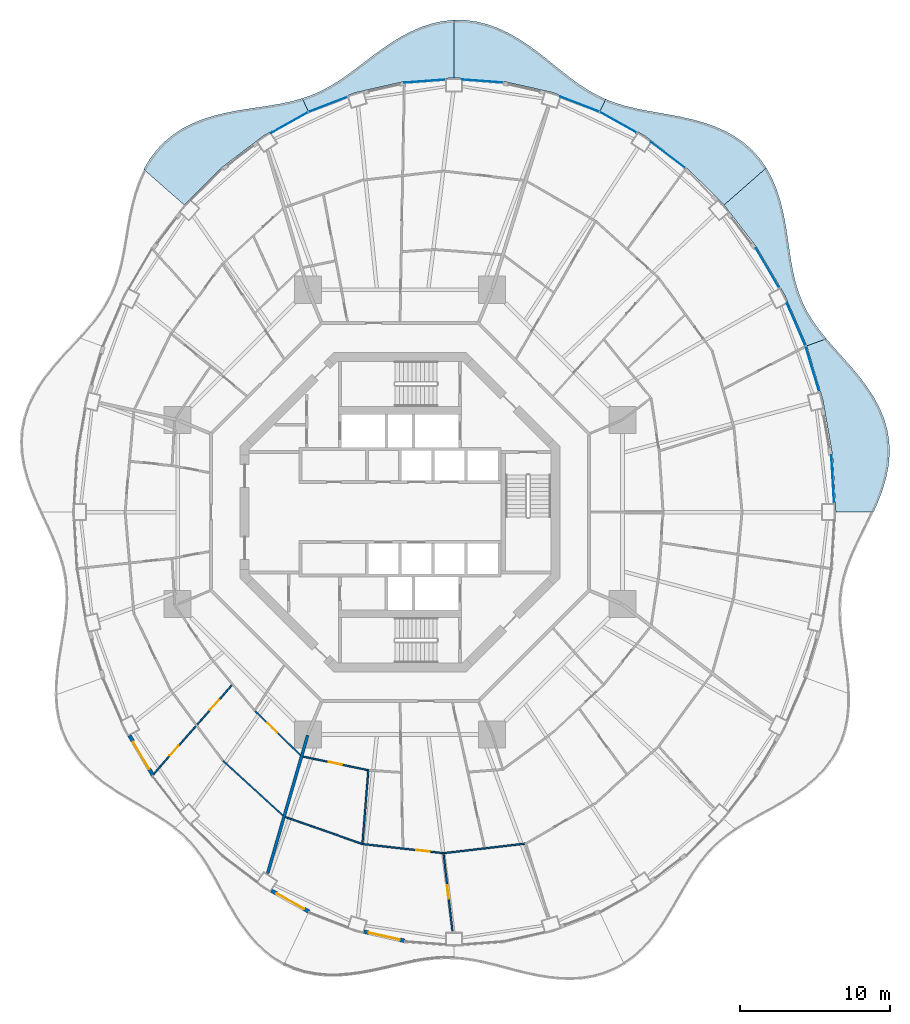
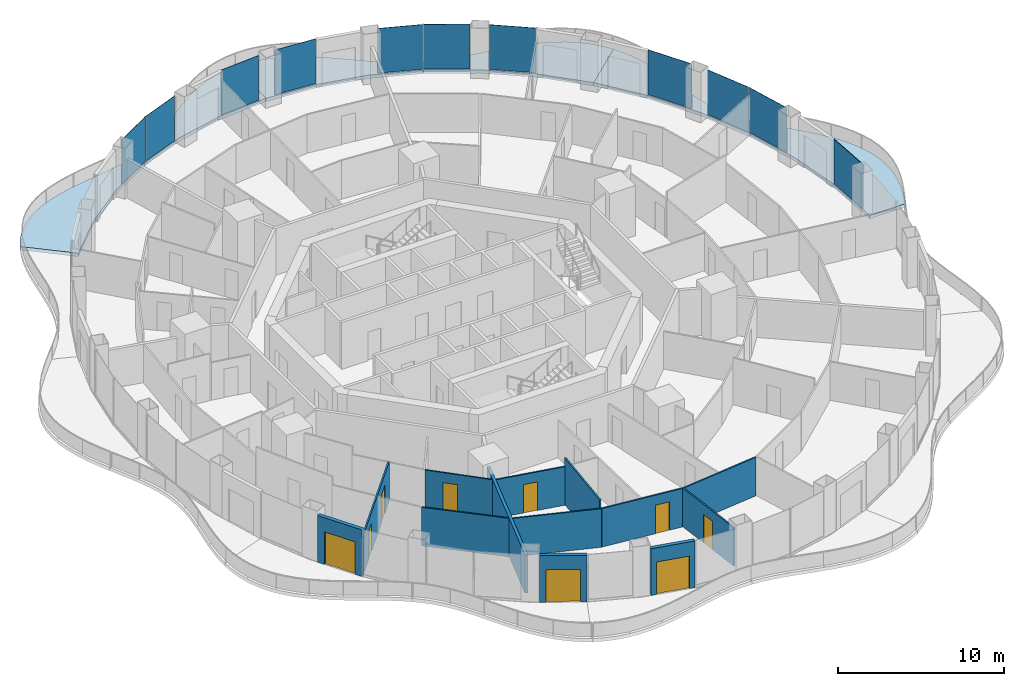
# One storey, part 10 of 19: 13 walls, 11 plates, 9 doors, 6 slabs, 9 openings, 11 elements without a shape of their own.
"""IFC4 building model written with IfcOpenShell, lengths in metres."""

from ifc_helpers import new_model, si_unit, direction, frame, frame_2d, origin, origin_2d, place, context, subcontext, project, spatial, polyline, rectangle, outline, extrude, material, layer, layer_set, type_object, element, fill, aggregate, save


model = new_model("IFC4")

# Units and contexts
model_context = context("Model", 3, precision=1e-05, world=origin(), true_north=direction((0.0, 1.0)))
body_context = subcontext(model_context, "Body", "Model", "MODEL_VIEW")
ifc_project = project(units=[si_unit("LENGTHUNIT", "METRE"), si_unit("AREAUNIT", "SQUARE_METRE"), si_unit("VOLUMEUNIT", "CUBIC_METRE"), si_unit("PLANEANGLEUNIT", "RADIAN"), si_unit("MASSUNIT", "GRAM", prefix="KILO")], contexts=[model_context])

# Site, building, storey
site_placement = place(None, origin())
site = spatial("IfcSite", under=ifc_project, at=site_placement, CompositionType="ELEMENT")
building_placement = place(site_placement, origin())
building = spatial("IfcBuilding", under=site, at=building_placement, Name="Nagisa Residences", CompositionType="ELEMENT")
storey_placement = place(building_placement, frame((0.0, 0.0, 188.10009765625)))
storey = spatial("IfcBuildingStorey", under=building, at=storey_placement, Name="L47", CompositionType="ELEMENT", Elevation=188.10009765625)

# Slabs
ifc_material_1 = material(Name="Concrete C40/50", Category="concrete")
ifc_layer_1 = layer(ifc_material_1, 0.25)
ifc_layer_set_1 = layer_set([ifc_layer_1], Name="BALCONY SLAB 250")
slab_type = type_object("IfcSlabType", Name="BALCONY SLAB 250", PredefinedType="FLOOR", material=ifc_layer_set_1)
slab_1_placement = place(storey_placement, frame((0.0, 0.0, -0.25)))
element("IfcSlab", 1, at=slab_1_placement, inside=storey, type_object=slab_type, Name="slab:L47:bal00", PredefinedType="FLOOR", context=body_context, shape_type="SweptSolid", body=[
    extrude(outline(polyline([(31.481689453125, 0.0), (31.814697265625, 0.765625), (32.103515625, 1.54443359375), (32.33154296875, 2.333251953125), (32.4833984375, 3.127685546875), (32.548095703125, 3.922119140625), (32.517822265625, 4.711181640625), (32.39013671875, 5.488525390625), (32.16650390625, 6.2490234375), (31.853271484375, 6.98828125), (31.46044921875, 7.703125), (31.00244140625, 8.391845703125), (30.4951171875, 9.054931640625), (29.957275390625, 9.69482421875), (29.4072265625, 10.3154296875), (28.86376953125, 10.922607421875), (28.343505859375, 11.523193359375), (27.04345703125, 11.050048828125), (28.1103515625, 7.473388671875), (28.7578125, 3.76904296875), (28.97509765625, 0.0), (31.481689453125, 0.0)])), origin(), (0.0, 0.0, 1.0), 0.25),
])
slab_2_placement = place(storey_placement, frame((0.0, 0.0, -0.25)))
element("IfcSlab", 2, at=slab_2_placement, inside=storey, type_object=slab_type, Name="slab:L47:bal01", PredefinedType="FLOOR", context=body_context, shape_type="SweptSolid", body=[
    extrude(outline(polyline([(28.343505859375, 11.523193359375), (27.875244140625, 12.106201171875), (27.45263671875, 12.69775390625), (27.08251953125, 13.3046875), (26.767822265625, 13.932861328125), (26.5078125, 14.58740234375), (26.298095703125, 15.271484375), (26.13037109375, 15.986083984375), (25.993896484375, 16.729736328125), (25.875732421875, 17.498779296875), (25.760986328125, 18.28759765625), (25.63427734375, 19.087646484375), (25.480712890625, 19.889404296875), (25.286376953125, 20.681640625), (25.038818359375, 21.45263671875), (24.72900390625, 22.190673828125), (24.349853515625, 22.884521484375), (21.542724609375, 20.417724609375), (23.7314453125, 17.577880859375), (25.575439453125, 14.4375), (27.04345703125, 11.050048828125), (28.343505859375, 11.523193359375)])), origin(), (0.0, 0.0, 1.0), 0.25),
])
slab_3_placement = place(storey_placement, frame((0.0, 0.0, -0.25)))
element("IfcSlab", 3, at=slab_3_placement, inside=storey, type_object=slab_type, Name="slab:L47:bal02", PredefinedType="FLOOR", context=body_context, shape_type="SweptSolid", body=[
    extrude(outline(polyline([(24.349853515625, 22.884521484375), (23.921142578125, 23.49560546875), (23.426513671875, 24.05078125), (22.868896484375, 24.54541015625), (22.25341796875, 24.97705078125), (21.587890625, 25.345703125), (20.88134765625, 25.654541015625), (20.144287109375, 25.90869140625), (19.387451171875, 26.115966796875), (18.62158203125, 26.28662109375), (17.857177734375, 26.431640625), (17.103271484375, 26.56396484375), (16.366943359375, 26.69580078125), (15.654052734375, 26.83984375), (14.967529296875, 27.007568359375), (14.308349609375, 27.20849609375), (13.675048828125, 27.4501953125), (13.310546875, 26.677001953125), (16.28759765625, 25.006591796875), (19.04736328125, 22.907958984375), (21.542724609375, 20.417724609375), (24.349853515625, 22.884521484375)])), origin(), (0.0, 0.0, 1.0), 0.25),
])
slab_4_placement = place(storey_placement, frame((0.0, 0.0, -0.25)))
element("IfcSlab", 4, at=slab_4_placement, inside=storey, type_object=slab_type, Name="slab:L47:bal03", PredefinedType="FLOOR", context=body_context, shape_type="SweptSolid", body=[
    extrude(outline(polyline([(13.675048828125, 27.4501953125), (13.08642578125, 27.726318359375), (12.5146484375, 28.0458984375), (11.953857421875, 28.408203125), (11.398193359375, 28.80859375), (10.84130859375, 29.240478515625), (10.276611328125, 29.69482421875), (9.698486328125, 30.159912109375), (9.102294921875, 30.623291015625), (8.48486328125, 31.071044921875), (7.843994140625, 31.489013671875), (7.1796875, 31.864013671875), (6.4931640625, 32.182861328125), (5.787353515625, 32.43505859375), (5.06640625, 32.61181640625), (4.335205078125, 32.706787109375), (3.60009765625, 32.716796875), (3.60009765625, 28.875), (6.912109375, 28.6279296875), (10.16748046875, 27.89111328125), (13.310546875, 26.677001953125), (13.675048828125, 27.4501953125)])), origin(), (0.0, 0.0, 1.0), 0.25),
])
slab_5_placement = place(storey_placement, frame((0.0, 0.0, -0.25)))
element("IfcSlab", 5, at=slab_5_placement, inside=storey, type_object=slab_type, Name="slab:L47:bal04", PredefinedType="FLOOR", context=body_context, shape_type="SweptSolid", body=[
    extrude(outline(polyline([(3.60009765625, 32.716796875), (2.866455078125, 32.641845703125), (2.140625, 32.4853515625), (1.427978515625, 32.252685546875), (0.732666015625, 31.95263671875), (0.05810546875, 31.59619140625), (-0.59423828125, 31.19580078125), (-1.22412109375, 30.765380859375), (-1.8330078125, 30.31884765625), (-2.423828125, 29.869873046875), (-3.001220703125, 29.431396484375), (-3.570068359375, 29.01513671875), (-4.136474609375, 28.630126953125), (-4.70703125, 28.283447265625), (-5.28759765625, 27.979736328125), (-5.883544921875, 27.7197265625), (-6.499755859375, 27.502685546875), (-6.110595703125, 26.677001953125), (-2.967529296875, 27.89111328125), (0.287841796875, 28.6279296875), (3.60009765625, 28.875), (3.60009765625, 32.716796875)])), origin(), (0.0, 0.0, 1.0), 0.25),
])
slab_6_placement = place(storey_placement, frame((0.0, 0.0, -0.25)))
element("IfcSlab", 6, at=slab_6_placement, inside=storey, type_object=slab_type, Name="slab:L47:bal05", PredefinedType="FLOOR", context=body_context, shape_type="SweptSolid", body=[
    extrude(outline(polyline([(-6.499755859375, 27.502685546875), (-7.163330078125, 27.31787109375), (-7.853515625, 27.167236328125), (-8.569580078125, 27.041015625), (-9.30859375, 26.927734375), (-10.065673828125, 26.814697265625), (-10.833740234375, 26.689208984375), (-11.60400390625, 26.53857421875), (-12.366943359375, 26.350830078125), (-13.111328125, 26.115966796875), (-13.826904296875, 25.825927734375), (-14.5029296875, 25.474609375), (-15.130615234375, 25.059326171875), (-15.7021484375, 24.579345703125), (-16.2119140625, 24.036865234375), (-16.657470703125, 23.43701171875), (-17.037841796875, 22.7861328125), (-14.3427734375, 20.417724609375), (-11.847412109375, 22.907958984375), (-9.08740234375, 25.006591796875), (-6.110595703125, 26.677001953125), (-6.499755859375, 27.502685546875)])), origin(), (0.0, 0.0, 1.0), 0.25),
])

# Curtain wall, plate
ifc_material_2 = material(Name="Concrete-coloured aluminium curtain wall system", Category="concrete")
ifc_layer_2 = layer(ifc_material_2, 0.159912109375)
ifc_layer_set_2 = layer_set([ifc_layer_2], Name="CW1 CURTAIN WALL")
curtain_wall_type = type_object("IfcCurtainWallType", Name="CW1 CURTAIN WALL", PredefinedType="NOTDEFINED", material=ifc_layer_set_2)
curtain_wall_1_placement = place(storey_placement, origin())
curtain_wall_1 = element("IfcCurtainWall", 7, at=curtain_wall_1_placement, inside=storey, type_object=curtain_wall_type, Name="cw:CW1:L47:00", PredefinedType="NOTDEFINED")
ifc_material_3 = material(Name="Clear laminated glass", Category="glass")
ifc_layer_3 = layer(ifc_material_3, 0.028076171875)
ifc_layer_set_3 = layer_set([ifc_layer_3], Name="CW1 GLASS PANEL")
plate_type = type_object("IfcPlateType", Name="CW1 GLASS PANEL", PredefinedType="CURTAIN_PANEL", material=ifc_layer_set_3)
plate_1_placement = place(storey_placement, frame((28.76904296875, 2.184326171875, 0.14990234375), z_axis=(0.0, 0.0, 1.0), x_axis=(-0.057503492216, 0.998345305184, 0.0)))
plate_1 = element("IfcPlate", 8, at=plate_1_placement, type_object=plate_type, Name="CW1 panel", PredefinedType="CURTAIN_PANEL", context=body_context, shape_type="SweptSolid", body=[
    extrude(rectangle(XDim=3.165283203125, YDim=0.028076171875, at=origin_2d()), origin(), (0.0, 0.0, 1.0), 3.2900390625),
])
aggregate(curtain_wall_1, [plate_1])

curtain_wall_2_placement = place(storey_placement, origin())
curtain_wall_2 = element("IfcCurtainWall", 9, at=curtain_wall_2_placement, inside=storey, type_object=curtain_wall_type, Name="cw:CW1:L47:02", PredefinedType="NOTDEFINED")
plate_2_placement = place(storey_placement, frame((27.4130859375, 9.531005859375, 0.14990234375), z_axis=(0.0, 0.0, 1.0), x_axis=(-0.285860274038, 0.958271310082, 0.0)))
plate_2 = element("IfcPlate", 10, at=plate_2_placement, type_object=plate_type, Name="CW1 panel", PredefinedType="CURTAIN_PANEL", context=body_context, shape_type="SweptSolid", body=[
    extrude(rectangle(XDim=3.122314453125, YDim=0.028076171875, at=origin_2d()), origin(), (0.0, 0.0, 1.0), 3.2900390625),
])
aggregate(curtain_wall_2, [plate_2])

curtain_wall_3_placement = place(storey_placement, origin())
curtain_wall_3 = element("IfcCurtainWall", 11, at=curtain_wall_3_placement, inside=storey, type_object=curtain_wall_type, Name="cw:CW1:L47:03", PredefinedType="NOTDEFINED")
plate_3_placement = place(storey_placement, frame((26.33349609375, 12.487060546875, 0.14990234375), z_axis=(0.0, 0.0, 1.0), x_axis=(-0.397635934147, 0.917543276295, 0.0)))
plate_3 = element("IfcPlate", 12, at=plate_3_placement, type_object=plate_type, Name="CW1 panel", PredefinedType="CURTAIN_PANEL", context=body_context, shape_type="SweptSolid", body=[
    extrude(rectangle(XDim=3.08203125, YDim=0.028076171875, at=origin_2d()), origin(), (0.0, 0.0, 1.0), 3.2900390625),
])
aggregate(curtain_wall_3, [plate_3])

curtain_wall_4_placement = place(storey_placement, origin())
curtain_wall_4 = element("IfcCurtainWall", 13, at=curtain_wall_4_placement, inside=storey, type_object=curtain_wall_type, Name="cw:CW1:L47:04", PredefinedType="NOTDEFINED")
plate_4_placement = place(storey_placement, frame((24.429931640625, 16.230224609375, 0.14990234375), z_axis=(0.0, 0.0, 1.0), x_axis=(-0.506348567002, 0.862328898214, 0.0)))
plate_4 = element("IfcPlate", 14, at=plate_4_placement, type_object=plate_type, Name="CW1 panel", PredefinedType="CURTAIN_PANEL", context=body_context, shape_type="SweptSolid", body=[
    extrude(rectangle(XDim=3.031982421875, YDim=0.028076171875, at=origin_2d()), origin(), (0.0, 0.0, 1.0), 3.2900390625),
])
aggregate(curtain_wall_4, [plate_4])

curtain_wall_5_placement = place(storey_placement, origin())
curtain_wall_5 = element("IfcCurtainWall", 15, at=curtain_wall_5_placement, inside=storey, type_object=curtain_wall_type, Name="cw:CW1:L47:07", PredefinedType="NOTDEFINED")
plate_5_placement = place(storey_placement, frame((17.81396484375, 23.745361328125, 0.14990234375), z_axis=(0.0, 0.0, 1.0), x_axis=(-0.79603132756, 0.605255421737, 0.0)))
plate_5 = element("IfcPlate", 16, at=plate_5_placement, type_object=plate_type, Name="CW1 panel", PredefinedType="CURTAIN_PANEL", context=body_context, shape_type="SweptSolid", body=[
    extrude(rectangle(XDim=2.85693359375, YDim=0.028076171875, at=origin_2d()), origin(), (0.0, 0.0, 1.0), 3.2900390625),
])
aggregate(curtain_wall_5, [plate_5])

curtain_wall_6_placement = place(storey_placement, origin())
curtain_wall_6 = element("IfcCurtainWall", 17, at=curtain_wall_6_placement, inside=storey, type_object=curtain_wall_type, Name="cw:CW1:L47:08", PredefinedType="NOTDEFINED")
plate_6_placement = place(storey_placement, frame((14.493896484375, 25.921142578125, 0.14990234375), z_axis=(0.0, 0.0, 1.0), x_axis=(-0.872072377523, 0.489376918501, 0.0)))
plate_6 = element("IfcPlate", 18, at=plate_6_placement, type_object=plate_type, Name="CW1 panel", PredefinedType="CURTAIN_PANEL", context=body_context, shape_type="SweptSolid", body=[
    extrude(rectangle(XDim=2.8037109375, YDim=0.028076171875, at=origin_2d()), origin(), (0.0, 0.0, 1.0), 3.2900390625),
])
aggregate(curtain_wall_6, [plate_6])

curtain_wall_7_placement = place(storey_placement, origin())
curtain_wall_7 = element("IfcCurtainWall", 19, at=curtain_wall_7_placement, inside=storey, type_object=curtain_wall_type, Name="cw:CW1:L47:09", PredefinedType="NOTDEFINED")
plate_7_placement = place(storey_placement, frame((11.938720703125, 27.12109375, 0.14990234375), z_axis=(0.0, 0.0, 1.0), x_axis=(-0.932825759707, 0.360327770268, 0.0)))
plate_7 = element("IfcPlate", 20, at=plate_7_placement, type_object=plate_type, Name="CW1 panel", PredefinedType="CURTAIN_PANEL", context=body_context, shape_type="SweptSolid", body=[
    extrude(rectangle(XDim=2.75927734375, YDim=0.028076171875, at=origin_2d()), origin(), (0.0, 0.0, 1.0), 3.2900390625),
])
aggregate(curtain_wall_7, [plate_7])

curtain_wall_8_placement = place(storey_placement, origin())
curtain_wall_8 = element("IfcCurtainWall", 21, at=curtain_wall_8_placement, inside=storey, type_object=curtain_wall_type, Name="cw:CW1:L47:11", PredefinedType="NOTDEFINED")
plate_8_placement = place(storey_placement, frame((5.494384765625, 28.653564453125, 0.14990234375), z_axis=(0.0, 0.0, 1.0), x_axis=(-0.997230168512, 0.074377355493, 0.0)))
plate_8 = element("IfcPlate", 22, at=plate_8_placement, type_object=plate_type, Name="CW1 panel", PredefinedType="CURTAIN_PANEL", context=body_context, shape_type="SweptSolid", body=[
    extrude(rectangle(XDim=2.711181640625, YDim=0.028076171875, at=origin_2d()), origin(), (0.0, 0.0, 1.0), 3.2900390625),
])
aggregate(curtain_wall_8, [plate_8])

curtain_wall_9_placement = place(storey_placement, origin())
curtain_wall_9 = element("IfcCurtainWall", 23, at=curtain_wall_9_placement, inside=storey, type_object=curtain_wall_type, Name="cw:CW1:L47:12", PredefinedType="NOTDEFINED")
plate_9_placement = place(storey_placement, frame((1.645751953125, 28.64892578125, 0.14990234375), z_axis=(0.0, 0.0, 1.0), x_axis=(-0.997230168512, -0.074377355493, 0.0)))
plate_9 = element("IfcPlate", 24, at=plate_9_placement, type_object=plate_type, Name="CW1 panel", PredefinedType="CURTAIN_PANEL", context=body_context, shape_type="SweptSolid", body=[
    extrude(rectangle(XDim=2.711181640625, YDim=0.028076171875, at=origin_2d()), origin(), (0.0, 0.0, 1.0), 3.2900390625),
])
aggregate(curtain_wall_9, [plate_9])

curtain_wall_10_placement = place(storey_placement, origin())
curtain_wall_10 = element("IfcCurtainWall", 25, at=curtain_wall_10_placement, inside=storey, type_object=curtain_wall_type, Name="cw:CW1:L47:14", PredefinedType="NOTDEFINED")
plate_10_placement = place(storey_placement, frame((-4.794677734375, 27.099609375, 0.14990234375), z_axis=(0.0, 0.0, 1.0), x_axis=(-0.932825759707, -0.360327770268, 0.0)))
plate_10 = element("IfcPlate", 26, at=plate_10_placement, type_object=plate_type, Name="CW1 panel", PredefinedType="CURTAIN_PANEL", context=body_context, shape_type="SweptSolid", body=[
    extrude(rectangle(XDim=2.75927734375, YDim=0.028076171875, at=origin_2d()), origin(), (0.0, 0.0, 1.0), 3.2900390625),
])
aggregate(curtain_wall_10, [plate_10])

curtain_wall_11_placement = place(storey_placement, origin())
curtain_wall_11 = element("IfcCurtainWall", 27, at=curtain_wall_11_placement, inside=storey, type_object=curtain_wall_type, Name="cw:CW1:L47:15", PredefinedType="NOTDEFINED")
plate_11_placement = place(storey_placement, frame((-7.34619140625, 25.891845703125, 0.14990234375), z_axis=(0.0, 0.0, 1.0), x_axis=(-0.872072377523, -0.489376918501, 0.0)))
plate_11 = element("IfcPlate", 28, at=plate_11_placement, type_object=plate_type, Name="CW1 panel", PredefinedType="CURTAIN_PANEL", context=body_context, shape_type="SweptSolid", body=[
    extrude(rectangle(XDim=2.8037109375, YDim=0.028076171875, at=origin_2d()), origin(), (0.0, 0.0, 1.0), 3.2900390625),
])
aggregate(curtain_wall_11, [plate_11])

# Wall
ifc_material_4 = material(Name="Gypsum board on steel studs", Category="steel")
ifc_layer_4 = layer(ifc_material_4, 0.199951171875)
ifc_layer_set_4 = layer_set([ifc_layer_4], Name="Apartment compartment wall EI60 200")
wall_type_1 = type_object("IfcWallType", Name="Apartment compartment wall EI60 200", PredefinedType="PARTITIONING", material=ifc_layer_set_4)
wall_1_placement = place(storey_placement, frame((-6.136962890625, -14.830078125, 0.0), z_axis=(0.0, 0.0, 1.0), x_axis=(-0.278461169897, -0.96044748782, 0.0)))
element("IfcWall", 29, at=wall_1_placement, inside=storey, type_object=wall_type_1, Name="wall:L47:u07", PredefinedType="PARTITIONING", context=body_context, shape_type="SweptSolid", body=[
    extrude(rectangle(XDim=9.5732421875, YDim=0.199951171875, at=frame_2d((4.78662109375, 0.0))), origin(), (0.0, 0.0, 1.0), 2.8369140625),
])

# Wall, openings, doors
ifc_material_5 = material(Name="Gypsum board on steel studs", Category="steel")
ifc_layer_5 = layer(ifc_material_5, 0.10009765625)
ifc_layer_set_5 = layer_set([ifc_layer_5], Name="Apartment partition 100")
wall_type_2 = type_object("IfcWallType", Name="Apartment partition 100", PredefinedType="PARTITIONING", material=ifc_layer_set_5)
wall_2_placement = place(storey_placement, frame((-11.16015625, -11.485107421875, 0.0), z_axis=(0.0, 0.0, 1.0), x_axis=(-0.661275898802, -0.750142776852, 0.0)))
wall_2 = element("IfcWall", 30, at=wall_2_placement, inside=storey, type_object=wall_type_2, Name="wall:L47:u68", PredefinedType="PARTITIONING", context=body_context, shape_type="SweptSolid", body=[
    extrude(rectangle(XDim=8.08251953125, YDim=0.10009765625, at=frame_2d((4.041259765625, 0.0))), origin(), (0.0, 0.0, 1.0), 2.90478515625),
])
opening_1_placement = place(wall_2_placement, frame((1.34130859375, 0.0, 0.0)))
opening_1 = element("IfcOpeningElement", 31, at=opening_1_placement, cuts=wall_2, Name="Opening L47-U14", PredefinedType="OPENING", context=body_context, shape_type="SweptSolid", body=[
    extrude(rectangle(XDim=0.89990234375, YDim=2.10009765625, at=frame_2d((0.449951171875, 1.050048828125))), frame((0.0, 0.06005859375, 0.0), z_axis=(0.0, -1.0, 0.0), x_axis=(1.0, 0.0, 0.0)), (0.0, 0.0, 1.0), 0.1201171875),
])
opening_2_placement = place(wall_2_placement, frame((5.38232421875, 0.0, 0.0)))
opening_2 = element("IfcOpeningElement", 32, at=opening_2_placement, cuts=wall_2, Name="Opening L47-U17", PredefinedType="OPENING", context=body_context, shape_type="SweptSolid", body=[
    extrude(rectangle(XDim=0.89990234375, YDim=2.10009765625, at=frame_2d((0.449951171875, 1.050048828125))), frame((0.0, 0.06005859375, 0.0), z_axis=(0.0, -1.0, 0.0), x_axis=(1.0, 0.0, 0.0)), (0.0, 0.0, 1.0), 0.1201171875),
])
ifc_material_6 = material(Name="Timber door set", Category="wood")
door_type_1 = type_object("IfcDoorType", Name="Apartment door 900x2100", OperationType="NOTDEFINED", PredefinedType="DOOR", material=ifc_material_6)
door_1_placement = place(opening_1_placement, origin())
door_1 = element("IfcDoor", 33, at=door_1_placement, inside=storey, type_object=door_type_1, Name="Door to study, Apartment 47B", OperationType="SINGLE_SWING_RIGHT", OverallHeight=2.10009765625, OverallWidth=0.89990234375, PredefinedType="DOOR", context=body_context, shape_type="SweptSolid", body=[
    extrude(rectangle(XDim=0.89990234375, YDim=2.10009765625, at=frame_2d((0.449951171875, 1.050048828125))), frame((0.0, 0.02490234375, 0.0), z_axis=(0.0, -1.0, 0.0), x_axis=(1.0, 0.0, 0.0)), (0.0, 0.0, 1.0), 0.050048828125),
])
fill(opening_1, door_1)
door_2_placement = place(opening_2_placement, origin())
door_2 = element("IfcDoor", 34, at=door_2_placement, inside=storey, type_object=door_type_1, Name="Door to master bedroom, Apartment 47B", OperationType="SINGLE_SWING_LEFT", OverallHeight=2.10009765625, OverallWidth=0.89990234375, PredefinedType="DOOR", context=body_context, shape_type="SweptSolid", body=[
    extrude(rectangle(XDim=0.89990234375, YDim=2.10009765625, at=frame_2d((0.449951171875, 1.050048828125))), frame((0.0, 0.02490234375, 0.0), z_axis=(0.0, -1.0, 0.0), x_axis=(1.0, 0.0, 0.0)), (0.0, 0.0, 1.0), 0.050048828125),
])
fill(opening_2, door_2)

# Wall, opening, door
wall_3_placement = place(storey_placement, frame((-9.62744140625, -13.238037109375, 0.0), z_axis=(0.0, 0.0, 1.0), x_axis=(0.716919058692, -0.697156412352, 0.0)))
wall_3 = element("IfcWall", 35, at=wall_3_placement, inside=storey, type_object=wall_type_2, Name="wall:L47:u70", PredefinedType="PARTITIONING", context=body_context, shape_type="SweptSolid", body=[
    extrude(rectangle(XDim=4.2001953125, YDim=0.10009765625, at=frame_2d((2.10009765625, 0.0))), origin(), (0.0, 0.0, 1.0), 2.8369140625),
])
opening_3_placement = place(wall_3_placement, frame((1.130126953125, 0.0, 0.0)))
opening_3 = element("IfcOpeningElement", 36, at=opening_3_placement, cuts=wall_3, Name="Opening L47-U19", PredefinedType="OPENING", context=body_context, shape_type="SweptSolid", body=[
    extrude(rectangle(XDim=0.89990234375, YDim=2.10009765625, at=frame_2d((0.449951171875, 1.050048828125))), frame((0.0, 0.06005859375, 0.0), z_axis=(0.0, -1.0, 0.0), x_axis=(1.0, 0.0, 0.0)), (0.0, 0.0, 1.0), 0.1201171875),
])
door_3_placement = place(opening_3_placement, origin())
door_3 = element("IfcDoor", 37, at=door_3_placement, inside=storey, type_object=door_type_1, Name="Door to laundry, Apartment 47B", OperationType="SINGLE_SWING_LEFT", OverallHeight=2.10009765625, OverallWidth=0.89990234375, PredefinedType="DOOR", context=body_context, shape_type="SweptSolid", body=[
    extrude(rectangle(XDim=0.89990234375, YDim=2.10009765625, at=frame_2d((0.449951171875, 1.050048828125))), frame((0.0, 0.02490234375, 0.0), z_axis=(0.0, -1.0, 0.0), x_axis=(1.0, 0.0, 0.0)), (0.0, 0.0, 1.0), 0.050048828125),
])
fill(opening_3, door_3)

# Wall
wall_4_placement = place(storey_placement, frame((-11.765625, -16.534912109375, 0.0), z_axis=(0.0, 0.0, 1.0), x_axis=(0.73807320557, -0.674720640872, 0.0)))
element("IfcWall", 38, at=wall_4_placement, inside=storey, type_object=wall_type_2, Name="wall:L47:u71", PredefinedType="PARTITIONING", context=body_context, shape_type="SweptSolid", body=[
    extrude(rectangle(XDim=5.39892578125, YDim=0.10009765625, at=frame_2d((2.699462890625, 0.0))), origin(), (0.0, 0.0, 1.0), 2.8369140625),
])

# Wall, opening, door
wall_5_placement = place(storey_placement, frame((-6.446533203125, -16.25634765625, 0.0), z_axis=(0.0, 0.0, 1.0), x_axis=(0.978906251581, -0.204309937631, 0.0)))
wall_5 = element("IfcWall", 39, at=wall_5_placement, inside=storey, type_object=wall_type_2, Name="wall:L47:u72", PredefinedType="PARTITIONING", context=body_context, shape_type="SweptSolid", body=[
    extrude(rectangle(XDim=4.385498046875, YDim=0.10009765625, at=frame_2d((2.19287109375, 0.0))), origin(), (0.0, 0.0, 1.0), 2.8369140625),
])
opening_4_placement = place(wall_5_placement, frame((1.742919921875, 0.0, 0.0)))
opening_4 = element("IfcOpeningElement", 40, at=opening_4_placement, cuts=wall_5, Name="Opening L47-U23", PredefinedType="OPENING", context=body_context, shape_type="SweptSolid", body=[
    extrude(rectangle(XDim=0.89990234375, YDim=2.10009765625, at=frame_2d((0.449951171875, 1.050048828125))), frame((0.0, 0.06005859375, 0.0), z_axis=(0.0, -1.0, 0.0), x_axis=(1.0, 0.0, 0.0)), (0.0, 0.0, 1.0), 0.1201171875),
])
door_4_placement = place(opening_4_placement, frame((0.89990234375, 0.0, 0.0), x_axis=(-1.0, 0.0, 0.0)))
door_4 = element("IfcDoor", 41, at=door_4_placement, inside=storey, type_object=door_type_1, Name="Door to study, Apartment 47C", OperationType="SINGLE_SWING_RIGHT", OverallHeight=2.10009765625, OverallWidth=0.89990234375, PredefinedType="DOOR", context=body_context, shape_type="SweptSolid", body=[
    extrude(rectangle(XDim=0.89990234375, YDim=2.10009765625, at=frame_2d((0.449951171875, 1.050048828125))), frame((0.0, 0.02490234375, 0.0), z_axis=(0.0, -1.0, 0.0), x_axis=(1.0, 0.0, 0.0)), (0.0, 0.0, 1.0), 0.050048828125),
])
fill(opening_4, door_4)

# Walls
wall_6_placement = place(storey_placement, frame((-7.612548828125, -20.2783203125, 0.0), z_axis=(0.0, 0.0, 1.0), x_axis=(0.943918212431, -0.330179357684, 0.0)))
element("IfcWall", 42, at=wall_6_placement, inside=storey, type_object=wall_type_2, Name="wall:L47:u73", PredefinedType="PARTITIONING", context=body_context, shape_type="SweptSolid", body=[
    extrude(rectangle(XDim=5.46728515625, YDim=0.10009765625, at=frame_2d((2.733642578125, 0.0))), origin(), (0.0, 0.0, 1.0), 2.8369140625),
])
wall_7_placement = place(storey_placement, frame((-2.1005859375, -17.11279296875, 0.0), z_axis=(0.0, 0.0, 1.0), x_axis=(-0.080183022299, -0.996780157776, 0.0)))
element("IfcWall", 43, at=wall_7_placement, inside=storey, type_object=wall_type_2, Name="wall:L47:u74", PredefinedType="PARTITIONING", context=body_context, shape_type="SweptSolid", body=[
    extrude(rectangle(XDim=4.92041015625, YDim=0.10009765625, at=frame_2d((2.460205078125, 0.0))), origin(), (0.0, 0.0, 1.0), 3.43994140625),
])

# Wall, opening, door
wall_8_placement = place(storey_placement, frame((-2.449462890625, -22.07275390625, 0.0), z_axis=(0.0, 0.0, 1.0), x_axis=(0.993660315081, -0.112424099879, 0.0)))
wall_8 = element("IfcWall", 44, at=wall_8_placement, inside=storey, type_object=wall_type_2, Name="wall:L47:u76", PredefinedType="PARTITIONING", context=body_context, shape_type="SweptSolid", body=[
    extrude(rectangle(XDim=5.32470703125, YDim=0.10009765625, at=frame_2d((2.662353515625, 0.0))), origin(), (0.0, 0.0, 1.0), 2.8369140625),
])
opening_5_placement = place(wall_8_placement, frame((3.543701171875, 0.0, 0.0)))
opening_5 = element("IfcOpeningElement", 45, at=opening_5_placement, cuts=wall_8, Name="Opening L47-U27", PredefinedType="OPENING", context=body_context, shape_type="SweptSolid", body=[
    extrude(rectangle(XDim=0.89990234375, YDim=2.10009765625, at=frame_2d((0.449951171875, 1.050048828125))), frame((0.0, 0.06005859375, 0.0), z_axis=(0.0, -1.0, 0.0), x_axis=(1.0, 0.0, 0.0)), (0.0, 0.0, 1.0), 0.1201171875),
])
door_5_placement = place(opening_5_placement, frame((0.89990234375, 0.0, 0.0), x_axis=(-1.0, 0.0, 0.0)))
door_5 = element("IfcDoor", 46, at=door_5_placement, inside=storey, type_object=door_type_1, Name="Door to living room, Apartment 47C", OperationType="SINGLE_SWING_RIGHT", OverallHeight=2.10009765625, OverallWidth=0.89990234375, PredefinedType="DOOR", context=body_context, shape_type="SweptSolid", body=[
    extrude(rectangle(XDim=0.89990234375, YDim=2.10009765625, at=frame_2d((0.449951171875, 1.050048828125))), frame((0.0, 0.02490234375, 0.0), z_axis=(0.0, -1.0, 0.0), x_axis=(1.0, 0.0, 0.0)), (0.0, 0.0, 1.0), 0.050048828125),
])
fill(opening_5, door_5)

wall_9_placement = place(storey_placement, frame((2.885498046875, -22.62744140625, 0.0), z_axis=(0.0, 0.0, 1.0), x_axis=(0.113634556485, -0.993522615531, 0.0)))
wall_9 = element("IfcWall", 47, at=wall_9_placement, inside=storey, type_object=wall_type_2, Name="wall:L47:u78", PredefinedType="PARTITIONING", context=body_context, shape_type="SweptSolid", body=[
    extrude(rectangle(XDim=5.244384765625, YDim=0.10009765625, at=frame_2d((2.6220703125, 0.0))), origin(), (0.0, 0.0, 1.0), 2.8369140625),
])
opening_6_placement = place(wall_9_placement, frame((2.197265625, 0.0, 0.0)))
opening_6 = element("IfcOpeningElement", 48, at=opening_6_placement, cuts=wall_9, Name="Opening L47-U28", PredefinedType="OPENING", context=body_context, shape_type="SweptSolid", body=[
    extrude(rectangle(XDim=0.89990234375, YDim=2.10009765625, at=frame_2d((0.449951171875, 1.050048828125))), frame((0.0, 0.06005859375, 0.0), z_axis=(0.0, -1.0, 0.0), x_axis=(1.0, 0.0, 0.0)), (0.0, 0.0, 1.0), 0.1201171875),
])
door_6_placement = place(opening_6_placement, origin())
door_6 = element("IfcDoor", 49, at=door_6_placement, inside=storey, type_object=door_type_1, Name="Door to bedroom, Apartment 47C", OperationType="SINGLE_SWING_RIGHT", OverallHeight=2.10009765625, OverallWidth=0.89990234375, PredefinedType="DOOR", context=body_context, shape_type="SweptSolid", body=[
    extrude(rectangle(XDim=0.89990234375, YDim=2.10009765625, at=frame_2d((0.449951171875, 1.050048828125))), frame((0.0, 0.02490234375, 0.0), z_axis=(0.0, -1.0, 0.0), x_axis=(1.0, 0.0, 0.0)), (0.0, 0.0, 1.0), 0.050048828125),
])
fill(opening_6, door_6)

# Wall
wall_10_placement = place(storey_placement, frame((2.94091796875, -22.67138671875, 0.0), z_axis=(0.0, 0.0, 1.0), x_axis=(0.993245806382, 0.1160291692, 0.0)))
element("IfcWall", 50, at=wall_10_placement, inside=storey, type_object=wall_type_2, Name="wall:L47:u79", PredefinedType="PARTITIONING", context=body_context, shape_type="SweptSolid", body=[
    extrude(rectangle(XDim=5.40771484375, YDim=0.10009765625, at=frame_2d((2.703857421875, 0.0))), origin(), (0.0, 0.0, 1.0), 2.8369140625),
])

# Wall, opening, door
ifc_material_7 = material(Name="Precast concrete C40/50", Category="concrete")
ifc_layer_6 = layer(ifc_material_7, 0.25)
ifc_layer_set_6 = layer_set([ifc_layer_6], Name="BALCONY DOOR WALL 250")
wall_type_3 = type_object("IfcWallType", Name="BALCONY DOOR WALL 250", PredefinedType="SOLIDWALL", material=ifc_layer_set_6)
wall_11_placement = place(storey_placement, frame((-16.423583984375, -17.5146484375, 0.0), z_axis=(0.0, 0.0, 1.0), x_axis=(-0.506309086483, 0.862352079458, 0.0)))
wall_11 = element("IfcWall", 51, at=wall_11_placement, inside=storey, type_object=wall_type_3, Name="wall:L47:bay28", PredefinedType="SOLIDWALL", context=body_context, shape_type="SweptSolid", body=[
    extrude(rectangle(XDim=3.091796875, YDim=0.25, at=frame_2d((1.5458984375, 0.0))), origin(), (0.0, 0.0, 1.0), 3.43994140625),
])
opening_7_placement = place(wall_11_placement, frame((0.495849609375, 0.0, 0.0)))
opening_7 = element("IfcOpeningElement", 52, at=opening_7_placement, cuts=wall_11, Name="Opening BD-L47-10", PredefinedType="OPENING", context=body_context, shape_type="SweptSolid", body=[
    extrude(rectangle(XDim=2.10009765625, YDim=2.39990234375, at=frame_2d((1.050048828125, 1.199951171875))), frame((0.0, 0.135009765625, 0.0), z_axis=(0.0, -1.0, 0.0), x_axis=(1.0, 0.0, 0.0)), (0.0, 0.0, 1.0), 0.27001953125),
])
ifc_material_8 = material(Name="Aluminium and clear glass", Category="aluminium")
door_type_2 = type_object("IfcDoorType", Name="BALCONY SLIDING DOOR 2100x2400", OperationType="SLIDING_TO_LEFT", PredefinedType="DOOR", material=ifc_material_8)
door_7_placement = place(opening_7_placement, origin())
door_7 = element("IfcDoor", 53, at=door_7_placement, inside=storey, type_object=door_type_2, Name="door:L47:bay28", OperationType="SLIDING_TO_LEFT", OverallHeight=2.39990234375, OverallWidth=2.10009765625, PredefinedType="DOOR", context=body_context, shape_type="SweptSolid", body=[
    extrude(rectangle(XDim=2.10009765625, YDim=2.39990234375, at=frame_2d((1.050048828125, 1.199951171875))), frame((0.0, 0.02490234375, 0.0), z_axis=(0.0, -1.0, 0.0), x_axis=(1.0, 0.0, 0.0)), (0.0, 0.0, 1.0), 0.050048828125),
])
fill(opening_7, door_7)

wall_12_placement = place(storey_placement, frame((-6.04931640625, -26.568115234375, 0.0), z_axis=(0.0, 0.0, 1.0), x_axis=(-0.872078262455, 0.489366431371, 0.0)))
wall_12 = element("IfcWall", 54, at=wall_12_placement, inside=storey, type_object=wall_type_3, Name="wall:L47:bay32", PredefinedType="SOLIDWALL", context=body_context, shape_type="SweptSolid", body=[
    extrude(rectangle(XDim=2.863525390625, YDim=0.25, at=frame_2d((1.431640625, 0.0))), origin(), (0.0, 0.0, 1.0), 3.43994140625),
])
opening_8_placement = place(wall_12_placement, frame((0.3818359375, 0.0, 0.0)))
opening_8 = element("IfcOpeningElement", 55, at=opening_8_placement, cuts=wall_12, Name="Opening BD-L47-11", PredefinedType="OPENING", context=body_context, shape_type="SweptSolid", body=[
    extrude(rectangle(XDim=2.10009765625, YDim=2.39990234375, at=frame_2d((1.050048828125, 1.199951171875))), frame((0.0, 0.135009765625, 0.0), z_axis=(0.0, -1.0, 0.0), x_axis=(1.0, 0.0, 0.0)), (0.0, 0.0, 1.0), 0.27001953125),
])
door_8_placement = place(opening_8_placement, origin())
door_8 = element("IfcDoor", 56, at=door_8_placement, inside=storey, type_object=door_type_2, Name="door:L47:bay32", OperationType="SLIDING_TO_LEFT", OverallHeight=2.39990234375, OverallWidth=2.10009765625, PredefinedType="DOOR", context=body_context, shape_type="SweptSolid", body=[
    extrude(rectangle(XDim=2.10009765625, YDim=2.39990234375, at=frame_2d((1.050048828125, 1.199951171875))), frame((0.0, 0.02490234375, 0.0), z_axis=(0.0, -1.0, 0.0), x_axis=(1.0, 0.0, 0.0)), (0.0, 0.0, 1.0), 0.050048828125),
])
fill(opening_8, door_8)

wall_13_placement = place(storey_placement, frame((0.3154296875, -28.506103515625, 0.0), z_axis=(0.0, 0.0, 1.0), x_axis=(-0.975324329911, 0.220776926974, 0.0)))
wall_13 = element("IfcWall", 57, at=wall_13_placement, inside=storey, type_object=wall_type_3, Name="wall:L47:bay34", PredefinedType="SOLIDWALL", context=body_context, shape_type="SweptSolid", body=[
    extrude(rectangle(XDim=2.787841796875, YDim=0.25, at=frame_2d((1.39404296875, 0.0))), origin(), (0.0, 0.0, 1.0), 3.43994140625),
])
opening_9_placement = place(wall_13_placement, frame((0.343994140625, 0.0, 0.0)))
opening_9 = element("IfcOpeningElement", 58, at=opening_9_placement, cuts=wall_13, Name="Opening BD-L47-12", PredefinedType="OPENING", context=body_context, shape_type="SweptSolid", body=[
    extrude(rectangle(XDim=2.10009765625, YDim=2.39990234375, at=frame_2d((1.050048828125, 1.199951171875))), frame((0.0, 0.135009765625, 0.0), z_axis=(0.0, -1.0, 0.0), x_axis=(1.0, 0.0, 0.0)), (0.0, 0.0, 1.0), 0.27001953125),
])
door_9_placement = place(opening_9_placement, origin())
door_9 = element("IfcDoor", 59, at=door_9_placement, inside=storey, type_object=door_type_2, Name="door:L47:bay34", OperationType="SLIDING_TO_LEFT", OverallHeight=2.39990234375, OverallWidth=2.10009765625, PredefinedType="DOOR", context=body_context, shape_type="SweptSolid", body=[
    extrude(rectangle(XDim=2.10009765625, YDim=2.39990234375, at=frame_2d((1.050048828125, 1.199951171875))), frame((0.0, 0.02490234375, 0.0), z_axis=(0.0, -1.0, 0.0), x_axis=(1.0, 0.0, 0.0)), (0.0, 0.0, 1.0), 0.050048828125),
])
fill(opening_9, door_9)

save(model, "model.ifc")
